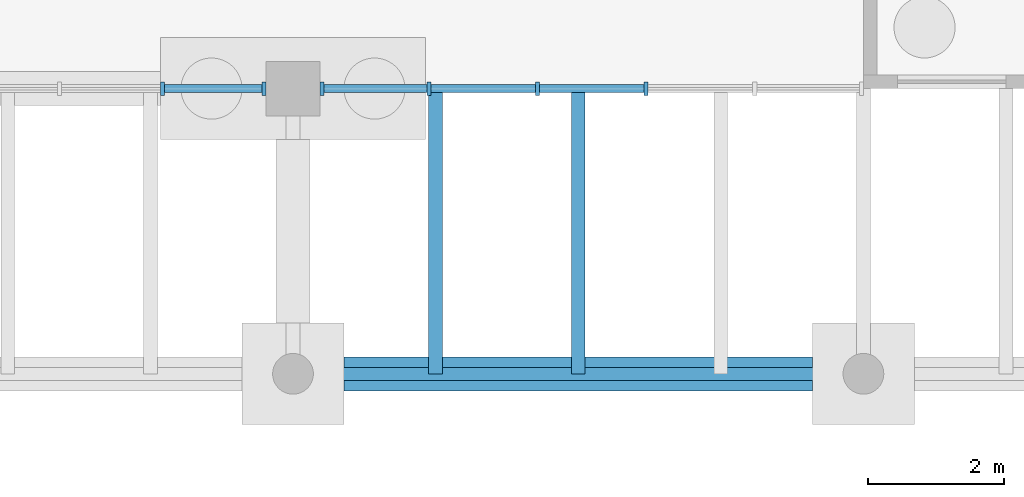
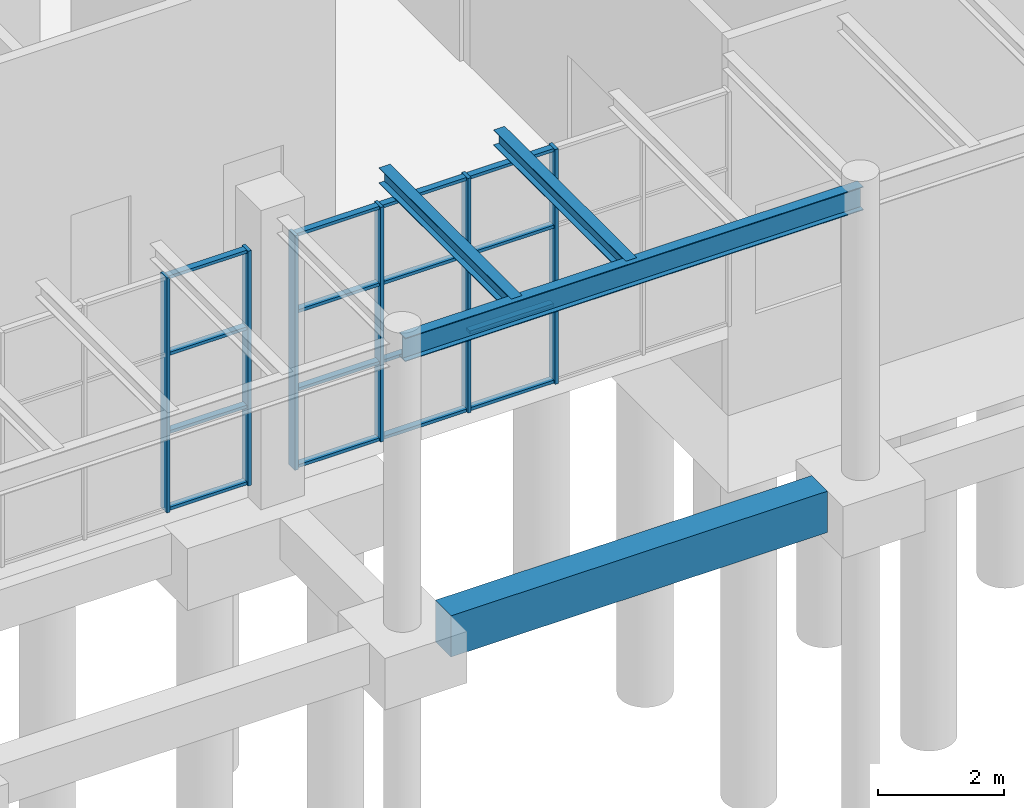
# One storey, part 14 of 82: 24 members, 2 beams, 2 elements without a shape of their own.
"""IFC4 building model written with IfcOpenShell, lengths in metres."""

from ifc_helpers import new_model, si_unit, direction, frame, origin, origin_2d, place, context, subcontext, project, spatial, rectangle, i_section, extrude, material, material_profile, profile_set, type_object, element, aggregate, save


model = new_model("IFC4")

# Units and contexts
model_context = context("Model", 3, precision=1e-05, world=origin(), true_north=direction((0.0, 1.0)))
body_context = subcontext(model_context, "Body", "Model", "MODEL_VIEW")
ifc_project = project(units=[si_unit("LENGTHUNIT", "METRE"), si_unit("AREAUNIT", "SQUARE_METRE"), si_unit("VOLUMEUNIT", "CUBIC_METRE"), si_unit("PLANEANGLEUNIT", "RADIAN"), si_unit("MASSUNIT", "GRAM", prefix="KILO")], contexts=[model_context])

# Site, building, storey
site_placement = place(None, origin())
site = spatial("IfcSite", under=ifc_project, at=site_placement, CompositionType="ELEMENT")
building_placement = place(site_placement, origin())
building = spatial("IfcBuilding", under=site, at=building_placement, Name="Almond Square Museum", CompositionType="ELEMENT")
storey_placement = place(building_placement, origin())
storey = spatial("IfcBuildingStorey", under=building, at=storey_placement, Name="L00", CompositionType="ELEMENT", Elevation=0.0)

# Curtain wall, members
ifc_material_1 = material(Name="Aluminium and laminated glass", Category="aluminium")
curtain_wall_type = type_object("IfcCurtainWallType", Name="Unitised curtain wall 1500 module", PredefinedType="NOTDEFINED", material=ifc_material_1)
curtain_wall_1_placement = place(storey_placement, origin())
curtain_wall_1 = element("IfcCurtainWall", 1, at=curtain_wall_1_placement, inside=storey, type_object=curtain_wall_type, Name="Curtain wall CW-03", PredefinedType="NOTDEFINED")
ifc_material_2 = material(Name="Anodised aluminium", Category="aluminium")
ifc_material_profile_1 = material_profile(ifc_material_2, rectangle(XDim=0.199951171875, YDim=0.06005859375, at=origin_2d()))
ifc_profile_set_1 = profile_set([ifc_material_profile_1], Name="Anodised aluminium")
member_type_1 = type_object("IfcMemberType", Name="Aluminium mullion 60 x 200", PredefinedType="MULLION", material=ifc_profile_set_1)
member_1_placement = place(storey_placement, frame((88.080078125, 67.199951171875, 0.0), z_axis=(0.0, 0.0, 1.0), x_axis=(0.0, 1.0, 0.0)))
member_1 = element("IfcMember", 2, at=member_1_placement, type_object=member_type_1, Name="CW-03 mullion 5", PredefinedType="MULLION", context=body_context, shape_type="SweptSolid", body=[
    extrude(rectangle(XDim=0.199951171875, YDim=0.06005859375, at=origin_2d()), origin(), (0.0, 0.0, 1.0), 4.550048828125),
])
member_2_placement = place(storey_placement, frame((89.570068359375, 67.199951171875, 0.0), z_axis=(0.0, 0.0, 1.0), x_axis=(0.0, 1.0, 0.0)))
member_2 = element("IfcMember", 3, at=member_2_placement, type_object=member_type_1, Name="CW-03 mullion 6", PredefinedType="MULLION", context=body_context, shape_type="SweptSolid", body=[
    extrude(rectangle(XDim=0.199951171875, YDim=0.06005859375, at=origin_2d()), origin(), (0.0, 0.0, 1.0), 4.550048828125),
])

curtain_wall_2_placement = place(storey_placement, origin())
curtain_wall_2 = element("IfcCurtainWall", 4, at=curtain_wall_2_placement, inside=storey, type_object=curtain_wall_type, Name="Curtain wall CW-04", PredefinedType="NOTDEFINED")
member_3_placement = place(storey_placement, frame((90.429931640625, 67.199951171875, 0.0), z_axis=(0.0, 0.0, 1.0), x_axis=(0.0, 1.0, 0.0)))
member_3 = element("IfcMember", 5, at=member_3_placement, type_object=member_type_1, Name="CW-04 mullion 1", PredefinedType="MULLION", context=body_context, shape_type="SweptSolid", body=[
    extrude(rectangle(XDim=0.199951171875, YDim=0.06005859375, at=origin_2d()), origin(), (0.0, 0.0, 1.0), 4.550048828125),
])
member_4_placement = place(storey_placement, frame((92.0, 67.199951171875, 0.0), z_axis=(0.0, 0.0, 1.0), x_axis=(0.0, 1.0, 0.0)))
member_4 = element("IfcMember", 6, at=member_4_placement, type_object=member_type_1, Name="CW-04 mullion 2", PredefinedType="MULLION", context=body_context, shape_type="SweptSolid", body=[
    extrude(rectangle(XDim=0.199951171875, YDim=0.06005859375, at=origin_2d()), origin(), (0.0, 0.0, 1.0), 4.550048828125),
])
member_5_placement = place(storey_placement, frame((93.60009765625, 67.199951171875, 0.0), z_axis=(0.0, 0.0, 1.0), x_axis=(0.0, 1.0, 0.0)))
member_5 = element("IfcMember", 7, at=member_5_placement, type_object=member_type_1, Name="CW-04 mullion 3", PredefinedType="MULLION", context=body_context, shape_type="SweptSolid", body=[
    extrude(rectangle(XDim=0.199951171875, YDim=0.06005859375, at=origin_2d()), origin(), (0.0, 0.0, 1.0), 4.550048828125),
])
member_6_placement = place(storey_placement, frame((95.199951171875, 67.199951171875, 0.0), z_axis=(0.0, 0.0, 1.0), x_axis=(0.0, 1.0, 0.0)))
member_6 = element("IfcMember", 8, at=member_6_placement, type_object=member_type_1, Name="CW-04 mullion 4", PredefinedType="MULLION", context=body_context, shape_type="SweptSolid", body=[
    extrude(rectangle(XDim=0.199951171875, YDim=0.06005859375, at=origin_2d()), origin(), (0.0, 0.0, 1.0), 4.550048828125),
])

# Member
ifc_material_3 = material(Name="Anodised aluminium", Category="aluminium")
ifc_material_profile_2 = material_profile(ifc_material_3, rectangle(XDim=0.1201171875, YDim=0.06005859375, at=origin_2d()))
ifc_profile_set_2 = profile_set([ifc_material_profile_2], Name="Anodised aluminium")
member_type_2 = type_object("IfcMemberType", Name="Aluminium transom 60 x 120", PredefinedType="USERDEFINED", material=ifc_profile_set_2)
member_7_placement = place(storey_placement, frame((88.110107421875, 67.199951171875, 0.030029296875), z_axis=(1.0, 0.0, 0.0), x_axis=(0.0, 1.0, 0.0)))
member_7 = element("IfcMember", 9, at=member_7_placement, type_object=member_type_2, Name="CW-03 transom 5.1", ObjectType="TRANSOM", PredefinedType="USERDEFINED", context=body_context, shape_type="SweptSolid", body=[
    extrude(rectangle(XDim=0.1201171875, YDim=0.06005859375, at=origin_2d()), origin(), (0.0, 0.0, 1.0), 1.429931640625),
])

member_8_placement = place(storey_placement, frame((88.110107421875, 67.199951171875, 1.5166015625), z_axis=(1.0, 0.0, 0.0), x_axis=(0.0, 1.0, 0.0)))
member_8 = element("IfcMember", 10, at=member_8_placement, type_object=member_type_2, Name="CW-03 transom 5.2", ObjectType="TRANSOM", PredefinedType="USERDEFINED", context=body_context, shape_type="SweptSolid", body=[
    extrude(rectangle(XDim=0.1201171875, YDim=0.06005859375, at=origin_2d()), origin(), (0.0, 0.0, 1.0), 1.429931640625),
])

member_9_placement = place(storey_placement, frame((88.110107421875, 67.199951171875, 3.033447265625), z_axis=(1.0, 0.0, 0.0), x_axis=(0.0, 1.0, 0.0)))
member_9 = element("IfcMember", 11, at=member_9_placement, type_object=member_type_2, Name="CW-03 transom 5.3", ObjectType="TRANSOM", PredefinedType="USERDEFINED", context=body_context, shape_type="SweptSolid", body=[
    extrude(rectangle(XDim=0.1201171875, YDim=0.06005859375, at=origin_2d()), origin(), (0.0, 0.0, 1.0), 1.429931640625),
])

member_10_placement = place(storey_placement, frame((88.110107421875, 67.199951171875, 4.52001953125), z_axis=(1.0, 0.0, 0.0), x_axis=(0.0, 1.0, 0.0)))
member_10 = element("IfcMember", 12, at=member_10_placement, type_object=member_type_2, Name="CW-03 transom 5.4", ObjectType="TRANSOM", PredefinedType="USERDEFINED", context=body_context, shape_type="SweptSolid", body=[
    extrude(rectangle(XDim=0.1201171875, YDim=0.06005859375, at=origin_2d()), origin(), (0.0, 0.0, 1.0), 1.429931640625),
])

aggregate(curtain_wall_1, [member_1, member_2, member_7, member_8, member_9, member_10])

member_11_placement = place(storey_placement, frame((90.4599609375, 67.199951171875, 0.030029296875), z_axis=(1.0, 0.0, 0.0), x_axis=(0.0, 1.0, 0.0)))
member_11 = element("IfcMember", 13, at=member_11_placement, type_object=member_type_2, Name="CW-04 transom 1.1", ObjectType="TRANSOM", PredefinedType="USERDEFINED", context=body_context, shape_type="SweptSolid", body=[
    extrude(rectangle(XDim=0.1201171875, YDim=0.06005859375, at=origin_2d()), origin(), (0.0, 0.0, 1.0), 1.510009765625),
])

member_12_placement = place(storey_placement, frame((90.4599609375, 67.199951171875, 1.5166015625), z_axis=(1.0, 0.0, 0.0), x_axis=(0.0, 1.0, 0.0)))
member_12 = element("IfcMember", 14, at=member_12_placement, type_object=member_type_2, Name="CW-04 transom 1.2", ObjectType="TRANSOM", PredefinedType="USERDEFINED", context=body_context, shape_type="SweptSolid", body=[
    extrude(rectangle(XDim=0.1201171875, YDim=0.06005859375, at=origin_2d()), origin(), (0.0, 0.0, 1.0), 1.510009765625),
])

member_13_placement = place(storey_placement, frame((90.4599609375, 67.199951171875, 3.033447265625), z_axis=(1.0, 0.0, 0.0), x_axis=(0.0, 1.0, 0.0)))
member_13 = element("IfcMember", 15, at=member_13_placement, type_object=member_type_2, Name="CW-04 transom 1.3", ObjectType="TRANSOM", PredefinedType="USERDEFINED", context=body_context, shape_type="SweptSolid", body=[
    extrude(rectangle(XDim=0.1201171875, YDim=0.06005859375, at=origin_2d()), origin(), (0.0, 0.0, 1.0), 1.510009765625),
])

member_14_placement = place(storey_placement, frame((90.4599609375, 67.199951171875, 4.52001953125), z_axis=(1.0, 0.0, 0.0), x_axis=(0.0, 1.0, 0.0)))
member_14 = element("IfcMember", 16, at=member_14_placement, type_object=member_type_2, Name="CW-04 transom 1.4", ObjectType="TRANSOM", PredefinedType="USERDEFINED", context=body_context, shape_type="SweptSolid", body=[
    extrude(rectangle(XDim=0.1201171875, YDim=0.06005859375, at=origin_2d()), origin(), (0.0, 0.0, 1.0), 1.510009765625),
])

member_15_placement = place(storey_placement, frame((92.030029296875, 67.199951171875, 0.030029296875), z_axis=(1.0, 0.0, 0.0), x_axis=(0.0, 1.0, 0.0)))
member_15 = element("IfcMember", 17, at=member_15_placement, type_object=member_type_2, Name="CW-04 transom 2.1", ObjectType="TRANSOM", PredefinedType="USERDEFINED", context=body_context, shape_type="SweptSolid", body=[
    extrude(rectangle(XDim=0.1201171875, YDim=0.06005859375, at=origin_2d()), origin(), (0.0, 0.0, 1.0), 1.5400390625),
])

member_16_placement = place(storey_placement, frame((92.030029296875, 67.199951171875, 1.5166015625), z_axis=(1.0, 0.0, 0.0), x_axis=(0.0, 1.0, 0.0)))
member_16 = element("IfcMember", 18, at=member_16_placement, type_object=member_type_2, Name="CW-04 transom 2.2", ObjectType="TRANSOM", PredefinedType="USERDEFINED", context=body_context, shape_type="SweptSolid", body=[
    extrude(rectangle(XDim=0.1201171875, YDim=0.06005859375, at=origin_2d()), origin(), (0.0, 0.0, 1.0), 1.5400390625),
])

member_17_placement = place(storey_placement, frame((92.030029296875, 67.199951171875, 3.033447265625), z_axis=(1.0, 0.0, 0.0), x_axis=(0.0, 1.0, 0.0)))
member_17 = element("IfcMember", 19, at=member_17_placement, type_object=member_type_2, Name="CW-04 transom 2.3", ObjectType="TRANSOM", PredefinedType="USERDEFINED", context=body_context, shape_type="SweptSolid", body=[
    extrude(rectangle(XDim=0.1201171875, YDim=0.06005859375, at=origin_2d()), origin(), (0.0, 0.0, 1.0), 1.5400390625),
])

member_18_placement = place(storey_placement, frame((92.030029296875, 67.199951171875, 4.52001953125), z_axis=(1.0, 0.0, 0.0), x_axis=(0.0, 1.0, 0.0)))
member_18 = element("IfcMember", 20, at=member_18_placement, type_object=member_type_2, Name="CW-04 transom 2.4", ObjectType="TRANSOM", PredefinedType="USERDEFINED", context=body_context, shape_type="SweptSolid", body=[
    extrude(rectangle(XDim=0.1201171875, YDim=0.06005859375, at=origin_2d()), origin(), (0.0, 0.0, 1.0), 1.5400390625),
])

member_19_placement = place(storey_placement, frame((93.6298828125, 67.199951171875, 0.030029296875), z_axis=(1.0, 0.0, 0.0), x_axis=(0.0, 1.0, 0.0)))
member_19 = element("IfcMember", 21, at=member_19_placement, type_object=member_type_2, Name="CW-04 transom 3.1", ObjectType="TRANSOM", PredefinedType="USERDEFINED", context=body_context, shape_type="SweptSolid", body=[
    extrude(rectangle(XDim=0.1201171875, YDim=0.06005859375, at=origin_2d()), origin(), (0.0, 0.0, 1.0), 1.5400390625),
])

member_20_placement = place(storey_placement, frame((93.6298828125, 67.199951171875, 1.5166015625), z_axis=(1.0, 0.0, 0.0), x_axis=(0.0, 1.0, 0.0)))
member_20 = element("IfcMember", 22, at=member_20_placement, type_object=member_type_2, Name="CW-04 transom 3.2", ObjectType="TRANSOM", PredefinedType="USERDEFINED", context=body_context, shape_type="SweptSolid", body=[
    extrude(rectangle(XDim=0.1201171875, YDim=0.06005859375, at=origin_2d()), origin(), (0.0, 0.0, 1.0), 1.5400390625),
])

member_21_placement = place(storey_placement, frame((93.6298828125, 67.199951171875, 3.033447265625), z_axis=(1.0, 0.0, 0.0), x_axis=(0.0, 1.0, 0.0)))
member_21 = element("IfcMember", 23, at=member_21_placement, type_object=member_type_2, Name="CW-04 transom 3.3", ObjectType="TRANSOM", PredefinedType="USERDEFINED", context=body_context, shape_type="SweptSolid", body=[
    extrude(rectangle(XDim=0.1201171875, YDim=0.06005859375, at=origin_2d()), origin(), (0.0, 0.0, 1.0), 1.5400390625),
])

member_22_placement = place(storey_placement, frame((93.6298828125, 67.199951171875, 4.52001953125), z_axis=(1.0, 0.0, 0.0), x_axis=(0.0, 1.0, 0.0)))
member_22 = element("IfcMember", 24, at=member_22_placement, type_object=member_type_2, Name="CW-04 transom 3.4", ObjectType="TRANSOM", PredefinedType="USERDEFINED", context=body_context, shape_type="SweptSolid", body=[
    extrude(rectangle(XDim=0.1201171875, YDim=0.06005859375, at=origin_2d()), origin(), (0.0, 0.0, 1.0), 1.5400390625),
])

aggregate(curtain_wall_2, [member_3, member_4, member_5, member_6, member_11, member_12, member_13, member_14, member_15, member_16, member_17, member_18, member_19, member_20, member_21, member_22])

# Beams
ifc_material_4 = material(Name="Structural steel S355", Category="steel")
ifc_material_profile_3 = material_profile(ifc_material_4, i_section(OverallWidth=0.19091796875, OverallDepth=0.45703125, WebThickness=0.009033203125, FlangeThickness=0.014404296875, at=origin_2d()))
ifc_profile_set_3 = profile_set([ifc_material_profile_3], Name="Structural steel S355")
beam_type_1 = type_object("IfcBeamType", Name="Eave beam W460x74", PredefinedType="BEAM", material=ifc_profile_set_3)
beam_1_placement = place(storey_placement, frame((90.0, 63.0, 5.021484375), z_axis=(1.0, 0.0, 0.0), x_axis=(0.0, 1.0, 0.0)))
element("IfcBeam", 25, at=beam_1_placement, inside=storey, type_object=beam_type_1, Name="LG-V2 roof edge beam 3", PredefinedType="BEAM", context=body_context, shape_type="SweptSolid", body=[
    extrude(i_section(OverallWidth=0.19091796875, OverallDepth=0.45703125, WebThickness=0.009033203125, FlangeThickness=0.014404296875, at=origin_2d()), origin(), (0.0, 0.0, 1.0), 8.39990234375),
])
ifc_material_5 = material(Name="Concrete C35/45", Category="concrete")
ifc_material_profile_4 = material_profile(ifc_material_5, rectangle(XDim=0.5, YDim=0.800048828125, at=origin_2d()))
ifc_profile_set_4 = profile_set([ifc_material_profile_4], Name="Concrete C35/45")
beam_type_2 = type_object("IfcBeamType", Name="RC ground beam 500 x 800 C35/45", PredefinedType="BEAM", material=ifc_profile_set_4)
beam_2_placement = place(storey_placement, frame((90.75, 63.0, -0.699951171875), z_axis=(1.0, 0.0, 0.0), x_axis=(0.0, 1.0, 0.0)))
element("IfcBeam", 26, at=beam_2_placement, inside=storey, type_object=beam_type_2, Name="Ground beam 086", PredefinedType="BEAM", context=body_context, shape_type="SweptSolid", body=[
    extrude(rectangle(XDim=0.5, YDim=0.800048828125, at=origin_2d()), origin(), (0.0, 0.0, 1.0), 6.89990234375),
])

# Members
ifc_material_6 = material(Name="Structural steel S355", Category="steel")
ifc_material_profile_5 = material_profile(ifc_material_6, i_section(OverallWidth=0.202880859375, OverallDepth=0.302001953125, WebThickness=0.007568359375, FlangeThickness=0.01318359375, at=origin_2d()))
ifc_profile_set_5 = profile_set([ifc_material_profile_5], Name="Structural steel S355")
member_type_3 = type_object("IfcMemberType", Name="Steel joist W310x60", PredefinedType="MEMBER", material=ifc_profile_set_5)
for number, where, z_axis, x_axis, name in (
    (27, (92.10009765625, 67.199951171875, 5.09912109375), (0.0, -1.0, 0.0), (1.0, 0.0, 0.0), "LG-V2 roof joist 10"),
    (28, (94.199951171875, 67.199951171875, 5.09912109375), (0.0, -1.0, 0.0), (1.0, 0.0, 0.0), "LG-V2 roof joist 11"),
):
    element("IfcMember", number, at=place(storey_placement, frame(where, z_axis=z_axis, x_axis=x_axis)), inside=storey, type_object=member_type_3, Name=name, PredefinedType="MEMBER", context=body_context, shape_type="SweptSolid", body=[
        extrude(i_section(OverallWidth=0.202880859375, OverallDepth=0.302001953125, WebThickness=0.007568359375, FlangeThickness=0.01318359375, at=origin_2d()), origin(), (0.0, 0.0, 1.0), 4.199951171875),
    ])

save(model, "model.ifc")
